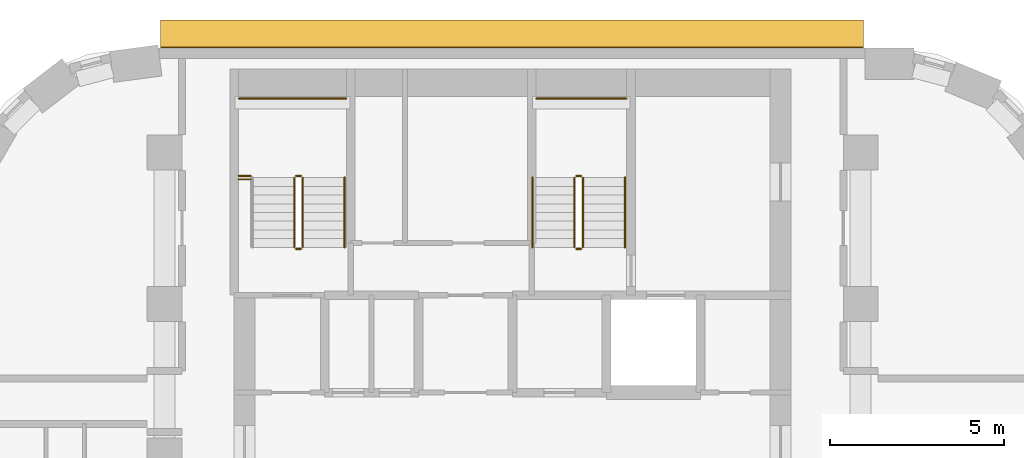
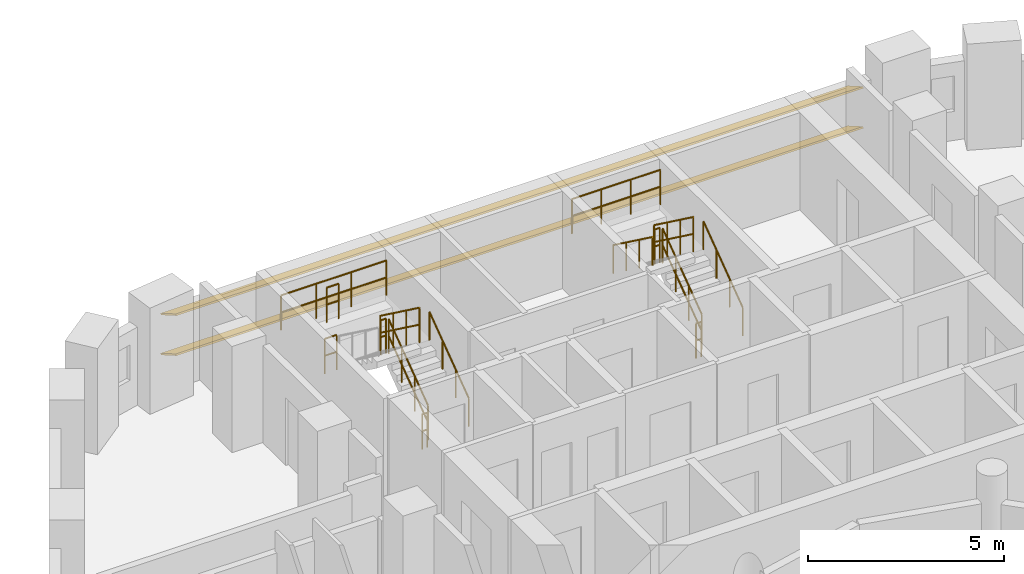
# One storey, part 14 of 14: 15 railings, 2 shading devices.
"""IFC4 building model written with IfcOpenShell, lengths in metres."""

from ifc_helpers import new_model, si_unit, direction, frame, origin, origin_2d, place, context, subcontext, project, spatial, rectangle, circle, extrude, material, material_profile, profile_set, type_object, element, save


model = new_model("IFC4")

# Units and contexts
model_context = context("Model", 3, precision=1e-05, world=origin(), true_north=direction((0.0, 1.0)))
body_context = subcontext(model_context, "Body", "Model", "MODEL_VIEW")
ifc_project = project(units=[si_unit("LENGTHUNIT", "METRE"), si_unit("AREAUNIT", "SQUARE_METRE"), si_unit("VOLUMEUNIT", "CUBIC_METRE"), si_unit("PLANEANGLEUNIT", "RADIAN"), si_unit("MASSUNIT", "GRAM", prefix="KILO")], contexts=[model_context])

# Site, building, storey
site_placement = place(None, origin())
site = spatial("IfcSite", under=ifc_project, at=site_placement, CompositionType="ELEMENT")
building_placement = place(site_placement, origin())
building = spatial("IfcBuilding", under=site, at=building_placement, Name="Nakaniwa Court", CompositionType="ELEMENT")
storey_placement = place(building_placement, frame((0.0, 0.0, 110.699951171875)))
storey = spatial("IfcBuildingStorey", under=building, at=storey_placement, Name="L29", CompositionType="ELEMENT", Elevation=110.699951171875)

# Shading devices
ifc_material_1 = material(Name="Perforated charcoal ceramic louvre blade")
ifc_material_profile = material_profile(ifc_material_1, rectangle(XDim=0.89990234375, YDim=0.050048828125, at=origin_2d()), Name="Perforated ceramic louvre blade")
ifc_profile_set = profile_set([ifc_material_profile], Name="Perforated charcoal ceramic louvre blade")
shading_device_type = type_object("IfcShadingDeviceType", Name="Perforated ceramic louvre blade", PredefinedType="JALOUSIE", material=ifc_profile_set)
for number, where, z_axis, x_axis, name in (
    (1, (90.07861328125, 104.402099609375, 0.550048828125), (-1.0, 0.0, 0.0), (0.0, -0.866025403784, 0.5), "L29 perforated ceramic louvre blade w08 1"),
    (2, (90.07861328125, 104.402099609375, 1.79345703125), (-1.0, 0.0, 0.0), (0.0, -0.866025403784, 0.5), "L29 perforated ceramic louvre blade w08 2"),
):
    element("IfcShadingDevice", number, at=place(storey_placement, frame(where, z_axis=z_axis, x_axis=x_axis)), inside=storey, type_object=shading_device_type, Name=name, PredefinedType="JALOUSIE", context=body_context, shape_type="SweptSolid", body=[
        extrude(rectangle(XDim=0.89990234375, YDim=0.050048828125, at=origin_2d()), origin(), (0.0, 0.0, 1.0), 20.19091796875),
    ])

# Railings
ifc_material_2 = material(Name="Black powder coated steel guard", Category="steel")
railing_type_1 = type_object("IfcRailingType", Name="Stair guard 1100", PredefinedType="GUARDRAIL", material=ifc_material_2)
railing_1_placement = place(storey_placement, frame((73.97509765625, 98.27490234375, 0.183349609375)))
element("IfcRailing", 3, at=railing_1_placement, inside=storey, type_object=railing_type_1, Name="L29 ST1 stair guard 1", PredefinedType="GUARDRAIL", context=body_context, shape_type="SweptSolid", body=[
    extrude(circle(Radius=0.02392578125, at=origin_2d()), frame((0.0, 0.0, 1.076171875), z_axis=(0.0, 0.806379959628, 0.591397802423), x_axis=(-1.0, 0.0, 0.0)), (0.0, 0.0, 1.0), 2.480224609375),
    extrude(circle(Radius=0.02392578125, at=origin_2d()), frame((0.0, 0.0, 0.550048828125), z_axis=(0.0, 0.806379959628, 0.591397802423), x_axis=(-1.0, 0.0, 0.0)), (0.0, 0.0, 1.0), 2.480224609375),
    extrude(circle(Radius=0.02099609375, at=origin_2d()), origin(), (0.0, 0.0, 1.0), 1.052001953125),
    extrude(circle(Radius=0.02099609375, at=origin_2d()), frame((0.0, 0.666748046875, 0.489013671875)), (0.0, 0.0, 1.0), 1.052001953125),
    extrude(circle(Radius=0.02099609375, at=origin_2d()), frame((0.0, 1.333251953125, 0.977783203125)), (0.0, 0.0, 1.0), 1.052001953125),
    extrude(circle(Radius=0.02099609375, at=origin_2d()), frame((0.0, 2.0, 1.466796875)), (0.0, 0.0, 1.0), 1.052001953125),
])
railing_2_placement = place(storey_placement, frame((73.925048828125, 100.324951171875, 1.650146484375)))
element("IfcRailing", 4, at=railing_2_placement, inside=storey, type_object=railing_type_1, Name="L29 ST1 stair guard 2", PredefinedType="GUARDRAIL", context=body_context, shape_type="SweptSolid", body=[
    extrude(circle(Radius=0.02392578125, at=origin_2d()), frame((0.0, 0.0, 1.076171875), z_axis=(-1.0, 0.0, 0.0), x_axis=(0.0, -1.0, 0.0)), (0.0, 0.0, 1.0), 0.150146484375),
    extrude(circle(Radius=0.02392578125, at=origin_2d()), frame((0.0, 0.0, 0.550048828125), z_axis=(-1.0, 0.0, 0.0), x_axis=(0.0, -1.0, 0.0)), (0.0, 0.0, 1.0), 0.150146484375),
    extrude(circle(Radius=0.02099609375, at=origin_2d()), origin(), (0.0, 0.0, 1.0), 1.052001953125),
    extrude(circle(Radius=0.02099609375, at=origin_2d()), frame((-0.150146484375, 0.0, 0.0)), (0.0, 0.0, 1.0), 1.052001953125),
])
railing_3_placement = place(storey_placement, frame((73.72509765625, 100.27490234375, 1.83349609375)))
element("IfcRailing", 5, at=railing_3_placement, inside=storey, type_object=railing_type_1, Name="L29 ST1 stair guard 3", PredefinedType="GUARDRAIL", context=body_context, shape_type="SweptSolid", body=[
    extrude(circle(Radius=0.02392578125, at=origin_2d()), frame((0.0, 0.0, 1.076171875), z_axis=(0.0, -0.806426902644, 0.591333789573), x_axis=(1.0, 0.0, 0.0)), (0.0, 0.0, 1.0), 2.47998046875),
    extrude(circle(Radius=0.02392578125, at=origin_2d()), frame((0.0, 0.0, 0.550048828125), z_axis=(0.0, -0.806426902644, 0.591333789573), x_axis=(1.0, 0.0, 0.0)), (0.0, 0.0, 1.0), 2.47998046875),
    extrude(circle(Radius=0.02099609375, at=origin_2d()), origin(), (0.0, 0.0, 1.0), 1.052001953125),
    extrude(circle(Radius=0.02099609375, at=origin_2d()), frame((0.0, -0.666748046875, 0.48876953125)), (0.0, 0.0, 1.0), 1.052001953125),
    extrude(circle(Radius=0.02099609375, at=origin_2d()), frame((0.0, -1.333251953125, 0.977783203125)), (0.0, 0.0, 1.0), 1.052001953125),
    extrude(circle(Radius=0.02099609375, at=origin_2d()), frame((0.0, -2.0, 1.466552734375)), (0.0, 0.0, 1.0), 1.052001953125),
])
railing_4_placement = place(storey_placement, frame((73.925048828125, 98.22509765625, 0.0)))
element("IfcRailing", 6, at=railing_4_placement, inside=storey, type_object=railing_type_1, Name="L29 ST1 stair guard 4", PredefinedType="GUARDRAIL", context=body_context, shape_type="SweptSolid", body=[
    extrude(circle(Radius=0.02392578125, at=origin_2d()), frame((0.0, 0.0, 1.076171875), z_axis=(-1.0, 0.0, 0.0), x_axis=(0.0, -1.0, 0.0)), (0.0, 0.0, 1.0), 0.150146484375),
    extrude(circle(Radius=0.02392578125, at=origin_2d()), frame((0.0, 0.0, 0.550048828125), z_axis=(-1.0, 0.0, 0.0), x_axis=(0.0, -1.0, 0.0)), (0.0, 0.0, 1.0), 0.150146484375),
    extrude(circle(Radius=0.02099609375, at=origin_2d()), origin(), (0.0, 0.0, 1.0), 1.052001953125),
    extrude(circle(Radius=0.02099609375, at=origin_2d()), frame((-0.150146484375, 0.0, 0.0)), (0.0, 0.0, 1.0), 1.052001953125),
])
railing_5_placement = place(storey_placement, frame((72.125, 102.550048828125, 1.650146484375)))
element("IfcRailing", 7, at=railing_5_placement, inside=storey, type_object=railing_type_1, Name="L29 ST1 landing end guard 1", PredefinedType="GUARDRAIL", context=body_context, shape_type="SweptSolid", body=[
    extrude(circle(Radius=0.02392578125, at=origin_2d()), frame((0.0, 0.0, 1.076171875), z_axis=(1.0, 0.0, 0.0), x_axis=(0.0, 1.0, 0.0)), (0.0, 0.0, 1.0), 3.10009765625),
    extrude(circle(Radius=0.02392578125, at=origin_2d()), frame((0.0, 0.0, 0.550048828125), z_axis=(1.0, 0.0, 0.0), x_axis=(0.0, 1.0, 0.0)), (0.0, 0.0, 1.0), 3.10009765625),
    extrude(circle(Radius=0.02099609375, at=origin_2d()), origin(), (0.0, 0.0, 1.0), 1.052001953125),
    extrude(circle(Radius=0.02099609375, at=origin_2d()), frame((1.033447265625, 0.0, 0.0)), (0.0, 0.0, 1.0), 1.052001953125),
    extrude(circle(Radius=0.02099609375, at=origin_2d()), frame((2.066650390625, 0.0, 0.0)), (0.0, 0.0, 1.0), 1.052001953125),
    extrude(circle(Radius=0.02099609375, at=origin_2d()), frame((3.10009765625, 0.0, 0.0)), (0.0, 0.0, 1.0), 1.052001953125),
])
for number, where, name in (
    (8, (72.125, 100.324951171875, 1.650146484375), "L29 ST1 landing side guard 1W"),
    (9, (72.125, 100.22509765625, 3.300048828125), "L29 ST1 floor edge guard 1W"),
):
    element("IfcRailing", number, at=place(storey_placement, frame(where)), inside=storey, type_object=railing_type_1, Name=name, PredefinedType="GUARDRAIL", context=body_context, shape_type="SweptSolid", body=[
        extrude(circle(Radius=0.02392578125, at=origin_2d()), frame((0.0, 0.0, 1.076171875), z_axis=(1.0, 0.0, 0.0), x_axis=(0.0, 1.0, 0.0)), (0.0, 0.0, 1.0), 0.35009765625),
        extrude(circle(Radius=0.02392578125, at=origin_2d()), frame((0.0, 0.0, 0.550048828125), z_axis=(1.0, 0.0, 0.0), x_axis=(0.0, 1.0, 0.0)), (0.0, 0.0, 1.0), 0.35009765625),
        extrude(circle(Radius=0.02099609375, at=origin_2d()), origin(), (0.0, 0.0, 1.0), 1.052001953125),
        extrude(circle(Radius=0.02099609375, at=origin_2d()), frame((0.35009765625, 0.0, 0.0)), (0.0, 0.0, 1.0), 1.052001953125),
    ])
railing_6_placement = place(storey_placement, frame((82.02490234375, 98.27490234375, 0.183349609375)))
element("IfcRailing", 10, at=railing_6_placement, inside=storey, type_object=railing_type_1, Name="L29 ST2 stair guard 1", PredefinedType="GUARDRAIL", context=body_context, shape_type="SweptSolid", body=[
    extrude(circle(Radius=0.02392578125, at=origin_2d()), frame((0.0, 0.0, 1.076171875), z_axis=(0.0, 0.806379959628, 0.591397802423), x_axis=(-1.0, 0.0, 0.0)), (0.0, 0.0, 1.0), 2.480224609375),
    extrude(circle(Radius=0.02392578125, at=origin_2d()), frame((0.0, 0.0, 0.550048828125), z_axis=(0.0, 0.806379959628, 0.591397802423), x_axis=(-1.0, 0.0, 0.0)), (0.0, 0.0, 1.0), 2.480224609375),
    extrude(circle(Radius=0.02099609375, at=origin_2d()), origin(), (0.0, 0.0, 1.0), 1.052001953125),
    extrude(circle(Radius=0.02099609375, at=origin_2d()), frame((0.0, 0.666748046875, 0.489013671875)), (0.0, 0.0, 1.0), 1.052001953125),
    extrude(circle(Radius=0.02099609375, at=origin_2d()), frame((0.0, 1.333251953125, 0.977783203125)), (0.0, 0.0, 1.0), 1.052001953125),
    extrude(circle(Radius=0.02099609375, at=origin_2d()), frame((0.0, 2.0, 1.466796875)), (0.0, 0.0, 1.0), 1.052001953125),
])
railing_7_placement = place(storey_placement, frame((81.97509765625, 100.324951171875, 1.650146484375)))
element("IfcRailing", 11, at=railing_7_placement, inside=storey, type_object=railing_type_1, Name="L29 ST2 stair guard 2", PredefinedType="GUARDRAIL", context=body_context, shape_type="SweptSolid", body=[
    extrude(circle(Radius=0.02392578125, at=origin_2d()), frame((0.0, 0.0, 1.076171875), z_axis=(-1.0, 0.0, 0.0), x_axis=(0.0, -1.0, 0.0)), (0.0, 0.0, 1.0), 0.150146484375),
    extrude(circle(Radius=0.02392578125, at=origin_2d()), frame((0.0, 0.0, 0.550048828125), z_axis=(-1.0, 0.0, 0.0), x_axis=(0.0, -1.0, 0.0)), (0.0, 0.0, 1.0), 0.150146484375),
    extrude(circle(Radius=0.02099609375, at=origin_2d()), origin(), (0.0, 0.0, 1.0), 1.052001953125),
    extrude(circle(Radius=0.02099609375, at=origin_2d()), frame((-0.150146484375, 0.0, 0.0)), (0.0, 0.0, 1.0), 1.052001953125),
])
railing_8_placement = place(storey_placement, frame((81.77490234375, 100.27490234375, 1.83349609375)))
element("IfcRailing", 12, at=railing_8_placement, inside=storey, type_object=railing_type_1, Name="L29 ST2 stair guard 3", PredefinedType="GUARDRAIL", context=body_context, shape_type="SweptSolid", body=[
    extrude(circle(Radius=0.02392578125, at=origin_2d()), frame((0.0, 0.0, 1.076171875), z_axis=(0.0, -0.806426902644, 0.591333789573), x_axis=(1.0, 0.0, 0.0)), (0.0, 0.0, 1.0), 2.47998046875),
    extrude(circle(Radius=0.02392578125, at=origin_2d()), frame((0.0, 0.0, 0.550048828125), z_axis=(0.0, -0.806426902644, 0.591333789573), x_axis=(1.0, 0.0, 0.0)), (0.0, 0.0, 1.0), 2.47998046875),
    extrude(circle(Radius=0.02099609375, at=origin_2d()), origin(), (0.0, 0.0, 1.0), 1.052001953125),
    extrude(circle(Radius=0.02099609375, at=origin_2d()), frame((0.0, -0.666748046875, 0.48876953125)), (0.0, 0.0, 1.0), 1.052001953125),
    extrude(circle(Radius=0.02099609375, at=origin_2d()), frame((0.0, -1.333251953125, 0.977783203125)), (0.0, 0.0, 1.0), 1.052001953125),
    extrude(circle(Radius=0.02099609375, at=origin_2d()), frame((0.0, -2.0, 1.466552734375)), (0.0, 0.0, 1.0), 1.052001953125),
])
railing_9_placement = place(storey_placement, frame((81.97509765625, 98.22509765625, 0.0)))
element("IfcRailing", 13, at=railing_9_placement, inside=storey, type_object=railing_type_1, Name="L29 ST2 stair guard 4", PredefinedType="GUARDRAIL", context=body_context, shape_type="SweptSolid", body=[
    extrude(circle(Radius=0.02392578125, at=origin_2d()), frame((0.0, 0.0, 1.076171875), z_axis=(-1.0, 0.0, 0.0), x_axis=(0.0, -1.0, 0.0)), (0.0, 0.0, 1.0), 0.150146484375),
    extrude(circle(Radius=0.02392578125, at=origin_2d()), frame((0.0, 0.0, 0.550048828125), z_axis=(-1.0, 0.0, 0.0), x_axis=(0.0, -1.0, 0.0)), (0.0, 0.0, 1.0), 0.150146484375),
    extrude(circle(Radius=0.02099609375, at=origin_2d()), origin(), (0.0, 0.0, 1.0), 1.052001953125),
    extrude(circle(Radius=0.02099609375, at=origin_2d()), frame((-0.150146484375, 0.0, 0.0)), (0.0, 0.0, 1.0), 1.052001953125),
])
railing_10_placement = place(storey_placement, frame((80.675048828125, 102.550048828125, 1.650146484375)))
element("IfcRailing", 14, at=railing_10_placement, inside=storey, type_object=railing_type_1, Name="L29 ST2 landing end guard 1", PredefinedType="GUARDRAIL", context=body_context, shape_type="SweptSolid", body=[
    extrude(circle(Radius=0.02392578125, at=origin_2d()), frame((0.0, 0.0, 1.076171875), z_axis=(1.0, 0.0, 0.0), x_axis=(0.0, 1.0, 0.0)), (0.0, 0.0, 1.0), 2.599853515625),
    extrude(circle(Radius=0.02392578125, at=origin_2d()), frame((0.0, 0.0, 0.550048828125), z_axis=(1.0, 0.0, 0.0), x_axis=(0.0, 1.0, 0.0)), (0.0, 0.0, 1.0), 2.599853515625),
    extrude(circle(Radius=0.02099609375, at=origin_2d()), origin(), (0.0, 0.0, 1.0), 1.052001953125),
    extrude(circle(Radius=0.02099609375, at=origin_2d()), frame((0.86669921875, 0.0, 0.0)), (0.0, 0.0, 1.0), 1.052001953125),
    extrude(circle(Radius=0.02099609375, at=origin_2d()), frame((1.733154296875, 0.0, 0.0)), (0.0, 0.0, 1.0), 1.052001953125),
    extrude(circle(Radius=0.02099609375, at=origin_2d()), frame((2.599853515625, 0.0, 0.0)), (0.0, 0.0, 1.0), 1.052001953125),
])
ifc_material_3 = material(Name="Black powder coated steel handrail", Category="steel")
railing_type_2 = type_object("IfcRailingType", Name="Stair handrail 900", PredefinedType="HANDRAIL", material=ifc_material_3)
for number, where, name in (
    (15, (75.175048828125, 98.27490234375, 0.183349609375), "L29 ST1 stair handrail 1"),
    (16, (83.22509765625, 98.27490234375, 0.183349609375), "L29 ST2 stair handrail 1"),
):
    element("IfcRailing", number, at=place(storey_placement, frame(where)), inside=storey, type_object=railing_type_2, Name=name, PredefinedType="HANDRAIL", context=body_context, shape_type="SweptSolid", body=[
        extrude(circle(Radius=0.02392578125, at=origin_2d()), frame((0.0, 0.0, 0.8759765625), z_axis=(0.0, 0.806379959628, 0.591397802423), x_axis=(-1.0, 0.0, 0.0)), (0.0, 0.0, 1.0), 2.480224609375),
        extrude(circle(Radius=0.02099609375, at=origin_2d()), origin(), (0.0, 0.0, 1.0), 0.851806640625),
        extrude(circle(Radius=0.02099609375, at=origin_2d()), frame((0.0, 0.666748046875, 0.489013671875)), (0.0, 0.0, 1.0), 0.851806640625),
        extrude(circle(Radius=0.02099609375, at=origin_2d()), frame((0.0, 1.333251953125, 0.977783203125)), (0.0, 0.0, 1.0), 0.851806640625),
        extrude(circle(Radius=0.02099609375, at=origin_2d()), frame((0.0, 2.0, 1.466796875)), (0.0, 0.0, 1.0), 0.851806640625),
    ])
railing_11_placement = place(storey_placement, frame((80.574951171875, 100.27490234375, 1.83349609375)))
element("IfcRailing", 17, at=railing_11_placement, inside=storey, type_object=railing_type_2, Name="L29 ST2 stair handrail 2", PredefinedType="HANDRAIL", context=body_context, shape_type="SweptSolid", body=[
    extrude(circle(Radius=0.02392578125, at=origin_2d()), frame((0.0, 0.0, 0.8759765625), z_axis=(0.0, -0.806426902644, 0.591333789573), x_axis=(1.0, 0.0, 0.0)), (0.0, 0.0, 1.0), 2.47998046875),
    extrude(circle(Radius=0.02099609375, at=origin_2d()), origin(), (0.0, 0.0, 1.0), 0.851806640625),
    extrude(circle(Radius=0.02099609375, at=origin_2d()), frame((0.0, -0.666748046875, 0.48876953125)), (0.0, 0.0, 1.0), 0.851806640625),
    extrude(circle(Radius=0.02099609375, at=origin_2d()), frame((0.0, -1.333251953125, 0.977783203125)), (0.0, 0.0, 1.0), 0.851806640625),
    extrude(circle(Radius=0.02099609375, at=origin_2d()), frame((0.0, -2.0, 1.466552734375)), (0.0, 0.0, 1.0), 0.851806640625),
])

save(model, "model.ifc")
